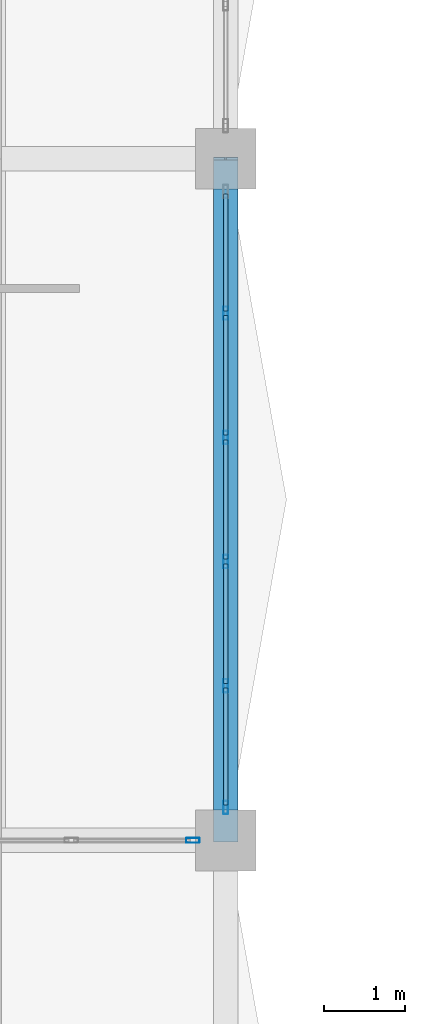
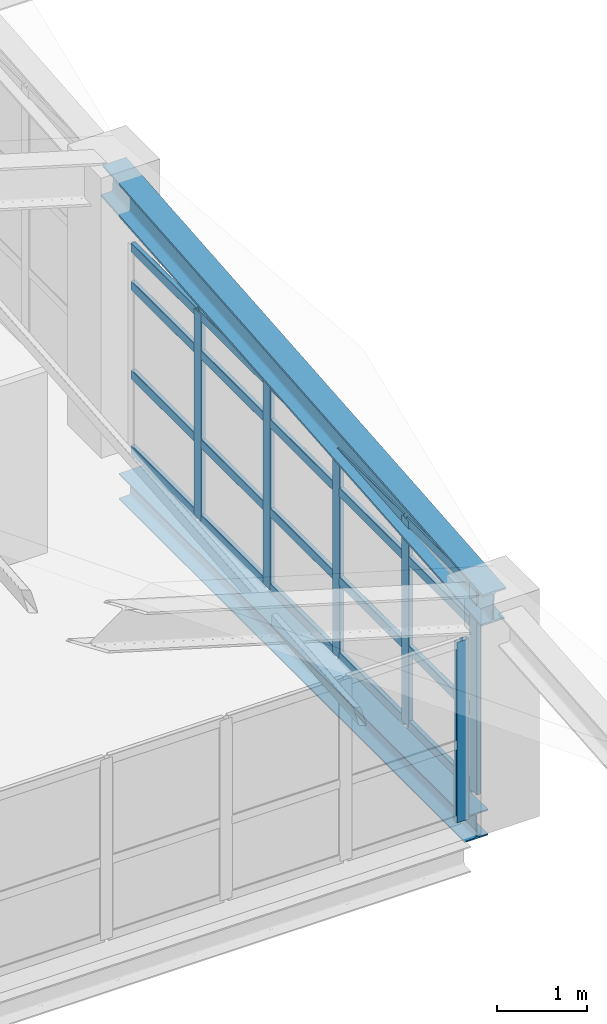
# One storey, part 38 of 95: 27 members, 1 beam, 2 elements without a shape of their own.
"""IFC4 building model written with IfcOpenShell, lengths in metres."""

from ifc_helpers import new_model, si_unit, direction, frame, origin, origin_2d, place, context, subcontext, project, spatial, hollow_rectangle, i_section, extrude, material, layer, layer_set, material_profile, profile_set, type_object, element, aggregate, save


model = new_model("IFC4")

# Units and contexts
model_context = context("Model", 3, precision=1e-05, world=origin(), true_north=direction((0.0, 1.0)))
body_context = subcontext(model_context, "Body", "Model", "MODEL_VIEW")
ifc_project = project(units=[si_unit("LENGTHUNIT", "METRE"), si_unit("AREAUNIT", "SQUARE_METRE"), si_unit("VOLUMEUNIT", "CUBIC_METRE"), si_unit("PLANEANGLEUNIT", "RADIAN"), si_unit("MASSUNIT", "GRAM", prefix="KILO"), si_unit("THERMODYNAMICTEMPERATUREUNIT", "KELVIN"), si_unit("POWERUNIT", "WATT")], contexts=[model_context])

# Site, building, storey
site_placement = place(None, origin())
site = spatial("IfcSite", under=ifc_project, at=site_placement, CompositionType="ELEMENT")
building_placement = place(site_placement, origin())
building = spatial("IfcBuilding", under=site, at=building_placement, Name="Mavoryth Pier Ferry Terminal", CompositionType="ELEMENT")
storey_placement = place(building_placement, frame((0.0, 0.0, 9.60009765625)))
storey = spatial("IfcBuildingStorey", under=building, at=storey_placement, Name="L02", CompositionType="ELEMENT", Elevation=9.60009765625)

# Member
ifc_material_1 = material(Name="Steel S355J2", Category="steel")
ifc_material_profile_1 = material_profile(ifc_material_1, i_section(OverallWidth=0.300048828125, OverallDepth=0.449951171875, WebThickness=0.013916015625, FlangeThickness=0.02587890625, FilletRadius=0.027099609375, at=origin_2d()), Name="HEB 450", Category="steel")
ifc_profile_set_1 = profile_set([ifc_material_profile_1], Name="Steel S355J2 - HEB 450")
member_type_1 = type_object("IfcMemberType", Name="Chord-Eave-HEB450", PredefinedType="CHORD", material=ifc_profile_set_1)
member_1_placement = place(storey_placement, frame((33.60009765625, 72.39990234375, 2.729248046875), z_axis=(0.0, 0.996403523637, 0.084734987362), x_axis=(-1.0, 0.0, 0.0)))
element("IfcMember", 1, at=member_1_placement, inside=storey, type_object=member_type_1, Name="Steel Member MB-L02-0117", PredefinedType="CHORD", context=body_context, shape_type="SweptSolid", body=[
    extrude(i_section(OverallWidth=0.300048828125, OverallDepth=0.449951171875, WebThickness=0.013916015625, FlangeThickness=0.02587890625, FilletRadius=0.027099609375, at=origin_2d()), origin(), (0.0, 0.0, 1.0), 8.430419921875),
])

# Curtain wall, members
ifc_material_2 = material(Name="Anodised Aluminium and Solar-Control Low-E Glass", Category="aluminium")
ifc_layer = layer(ifc_material_2, 0.179931640625, Name="Anodised Aluminium and Solar-Control Low-E Glass", Category="aluminium")
ifc_layer_set = layer_set([ifc_layer], Name="Anodised Aluminium and Solar-Control Low-E Glass - CW-Concourse-Mod1400")
curtain_wall_type = type_object("IfcCurtainWallType", Name="CW-Concourse-Mod1400", PredefinedType="USERDEFINED", material=ifc_layer_set)
curtain_wall_1_placement = place(storey_placement, origin())
curtain_wall_1 = element("IfcCurtainWall", 2, at=curtain_wall_1_placement, inside=storey, type_object=curtain_wall_type, Name="Curtain Wall CW-0222-022", ObjectType="UNITISED CURTAIN WALL", PredefinedType="USERDEFINED")
ifc_material_3 = material(Name="Anodised Aluminium EN AW-6063", Category="aluminium")
ifc_material_profile_2 = material_profile(ifc_material_3, hollow_rectangle(XDim=0.06005859375, YDim=0.1650390625, WallThickness=0.00390625, InnerFilletRadius=0.00390625, OuterFilletRadius=0.008056640625, at=origin_2d()), Name="AL-MULL 165x60x4", Category="aluminium")
ifc_profile_set_2 = profile_set([ifc_material_profile_2], Name="Anodised Aluminium EN AW-6063 - AL-MULL 165x60x4")
member_type_2 = type_object("IfcMemberType", Name="Mullion-Alum-165x60", PredefinedType="MULLION", material=ifc_profile_set_2)
member_2_placement = place(storey_placement, frame((33.60009765625, 72.804931640625, 0.0), z_axis=(0.0, 0.0, 1.0), x_axis=(-1.0, 0.0, 0.0)))
member_2 = element("IfcMember", 3, at=member_2_placement, type_object=member_type_2, Name="CW01 mullion 1", PredefinedType="MULLION", context=body_context, shape_type="SweptSolid", body=[
    extrude(hollow_rectangle(XDim=0.06005859375, YDim=0.1650390625, WallThickness=0.00390625, InnerFilletRadius=0.00390625, OuterFilletRadius=0.008056640625, at=origin_2d()), origin(), (0.0, 0.0, 1.0), 2.79296875),
])
member_3_placement = place(storey_placement, frame((33.60009765625, 74.304931640625, 0.0), z_axis=(0.0, 0.0, 1.0), x_axis=(-1.0, 0.0, 0.0)))
member_3 = element("IfcMember", 4, at=member_3_placement, type_object=member_type_2, Name="CW01 mullion 2", PredefinedType="MULLION", context=body_context, shape_type="SweptSolid", body=[
    extrude(hollow_rectangle(XDim=0.06005859375, YDim=0.1650390625, WallThickness=0.00390625, InnerFilletRadius=0.00390625, OuterFilletRadius=0.008056640625, at=origin_2d()), origin(), (0.0, 0.0, 1.0), 2.79296875),
])
member_4_placement = place(storey_placement, frame((33.60009765625, 75.8349609375, 0.0), z_axis=(0.0, 0.0, 1.0), x_axis=(-1.0, 0.0, 0.0)))
member_4 = element("IfcMember", 5, at=member_4_placement, type_object=member_type_2, Name="CW01 mullion 3", PredefinedType="MULLION", context=body_context, shape_type="SweptSolid", body=[
    extrude(hollow_rectangle(XDim=0.06005859375, YDim=0.1650390625, WallThickness=0.00390625, InnerFilletRadius=0.00390625, OuterFilletRadius=0.008056640625, at=origin_2d()), origin(), (0.0, 0.0, 1.0), 2.79296875),
])
member_5_placement = place(storey_placement, frame((33.60009765625, 77.364990234375, 0.0), z_axis=(0.0, 0.0, 1.0), x_axis=(-1.0, 0.0, 0.0)))
member_5 = element("IfcMember", 6, at=member_5_placement, type_object=member_type_2, Name="CW01 mullion 4", PredefinedType="MULLION", context=body_context, shape_type="SweptSolid", body=[
    extrude(hollow_rectangle(XDim=0.06005859375, YDim=0.1650390625, WallThickness=0.00390625, InnerFilletRadius=0.00390625, OuterFilletRadius=0.008056640625, at=origin_2d()), origin(), (0.0, 0.0, 1.0), 2.79296875),
])
member_6_placement = place(storey_placement, frame((33.60009765625, 78.89501953125, 0.0), z_axis=(0.0, 0.0, 1.0), x_axis=(-1.0, 0.0, 0.0)))
member_6 = element("IfcMember", 7, at=member_6_placement, type_object=member_type_2, Name="CW01 mullion 5", PredefinedType="MULLION", context=body_context, shape_type="SweptSolid", body=[
    extrude(hollow_rectangle(XDim=0.06005859375, YDim=0.1650390625, WallThickness=0.00390625, InnerFilletRadius=0.00390625, OuterFilletRadius=0.008056640625, at=origin_2d()), origin(), (0.0, 0.0, 1.0), 2.79296875),
])

# Curtain wall, member
curtain_wall_2_placement = place(storey_placement, origin())
curtain_wall_2 = element("IfcCurtainWall", 8, at=curtain_wall_2_placement, inside=storey, type_object=curtain_wall_type, Name="Curtain Wall CW-0222-049", ObjectType="UNITISED CURTAIN WALL", PredefinedType="USERDEFINED")
member_7_placement = place(storey_placement, frame((33.195068359375, 72.39990234375, 0.0), z_axis=(0.0, 0.0, 1.0), x_axis=(0.0, 1.0, 0.0)))
member_7 = element("IfcMember", 9, at=member_7_placement, type_object=member_type_2, Name="CW01 mullion 6", PredefinedType="MULLION", context=body_context, shape_type="SweptSolid", body=[
    extrude(hollow_rectangle(XDim=0.06005859375, YDim=0.1650390625, WallThickness=0.00390625, InnerFilletRadius=0.00390625, OuterFilletRadius=0.008056640625, at=origin_2d()), origin(), (0.0, 0.0, 1.0), 2.435791015625),
])
aggregate(curtain_wall_2, [member_7])

# Beam
ifc_material_profile_3 = material_profile(ifc_material_1, i_section(OverallWidth=0.300048828125, OverallDepth=0.35009765625, WebThickness=0.010009765625, FlangeThickness=0.017578125, FilletRadius=0.027099609375, at=origin_2d()), Name="HEA 360", Category="steel")
ifc_profile_set_3 = profile_set([ifc_material_profile_3], Name="Steel S355J2 - HEA 360")
beam_type = type_object("IfcBeamType", Name="Spandrel-Steel-HEA360", PredefinedType="SPANDREL", material=ifc_profile_set_3)
beam_placement = place(storey_placement, frame((33.60009765625, 72.77490234375, -0.455078125), z_axis=(0.0, 1.0, 0.0), x_axis=(-1.0, 0.0, 0.0)))
element("IfcBeam", 10, at=beam_placement, inside=storey, type_object=beam_type, Name="Beam B02-SP03-0648", PredefinedType="SPANDREL", context=body_context, shape_type="SweptSolid", body=[
    extrude(i_section(OverallWidth=0.300048828125, OverallDepth=0.35009765625, WebThickness=0.010009765625, FlangeThickness=0.017578125, FilletRadius=0.027099609375, at=origin_2d()), origin(), (0.0, 0.0, 1.0), 7.650146484375),
])

# Member
ifc_material_profile_4 = material_profile(ifc_material_3, hollow_rectangle(XDim=0.06005859375, YDim=0.125, WallThickness=0.00390625, InnerFilletRadius=0.00390625, OuterFilletRadius=0.008056640625, at=origin_2d()), Name="AL-TRAN 125x60x4", Category="aluminium")
ifc_profile_set_4 = profile_set([ifc_material_profile_4], Name="Anodised Aluminium EN AW-6063 - AL-TRAN 125x60x4")
member_type_3 = type_object("IfcMemberType", Name="Transom-Alum-125x60", PredefinedType="USERDEFINED", material=ifc_profile_set_4)
member_8_placement = place(storey_placement, frame((33.60009765625, 72.8349609375, 0.02978515625), z_axis=(0.0, 1.0, 0.0), x_axis=(-1.0, 0.0, 0.0)))
member_8 = element("IfcMember", 11, at=member_8_placement, type_object=member_type_3, Name="CW01 transom 1.1", ObjectType="TRANSOM", PredefinedType="USERDEFINED", context=body_context, shape_type="SweptSolid", body=[
    extrude(hollow_rectangle(XDim=0.06005859375, YDim=0.125, WallThickness=0.00390625, InnerFilletRadius=0.00390625, OuterFilletRadius=0.008056640625, at=origin_2d()), origin(), (0.0, 0.0, 1.0), 1.43994140625),
])

member_9_placement = place(storey_placement, frame((33.60009765625, 72.8349609375, 1.0498046875), z_axis=(0.0, 1.0, 0.0), x_axis=(-1.0, 0.0, 0.0)))
member_9 = element("IfcMember", 12, at=member_9_placement, type_object=member_type_3, Name="CW01 transom 1.2", ObjectType="TRANSOM", PredefinedType="USERDEFINED", context=body_context, shape_type="SweptSolid", body=[
    extrude(hollow_rectangle(XDim=0.06005859375, YDim=0.125, WallThickness=0.00390625, InnerFilletRadius=0.00390625, OuterFilletRadius=0.008056640625, at=origin_2d()), origin(), (0.0, 0.0, 1.0), 1.43994140625),
])

member_10_placement = place(storey_placement, frame((33.60009765625, 72.8349609375, 2.25), z_axis=(0.0, 1.0, 0.0), x_axis=(-1.0, 0.0, 0.0)))
member_10 = element("IfcMember", 13, at=member_10_placement, type_object=member_type_3, Name="CW01 transom 1.3", ObjectType="TRANSOM", PredefinedType="USERDEFINED", context=body_context, shape_type="SweptSolid", body=[
    extrude(hollow_rectangle(XDim=0.06005859375, YDim=0.125, WallThickness=0.00390625, InnerFilletRadius=0.00390625, OuterFilletRadius=0.008056640625, at=origin_2d()), origin(), (0.0, 0.0, 1.0), 1.43994140625),
])

member_11_placement = place(storey_placement, frame((33.60009765625, 72.8349609375, 2.762939453125), z_axis=(0.0, 1.0, 0.0), x_axis=(-1.0, 0.0, 0.0)))
member_11 = element("IfcMember", 14, at=member_11_placement, type_object=member_type_3, Name="CW01 transom 1.4", ObjectType="TRANSOM", PredefinedType="USERDEFINED", context=body_context, shape_type="SweptSolid", body=[
    extrude(hollow_rectangle(XDim=0.06005859375, YDim=0.125, WallThickness=0.00390625, InnerFilletRadius=0.00390625, OuterFilletRadius=0.008056640625, at=origin_2d()), origin(), (0.0, 0.0, 1.0), 1.43994140625),
])

member_12_placement = place(storey_placement, frame((33.60009765625, 74.3349609375, 0.02978515625), z_axis=(0.0, 1.0, 0.0), x_axis=(-1.0, 0.0, 0.0)))
member_12 = element("IfcMember", 15, at=member_12_placement, type_object=member_type_3, Name="CW01 transom 2.1", ObjectType="TRANSOM", PredefinedType="USERDEFINED", context=body_context, shape_type="SweptSolid", body=[
    extrude(hollow_rectangle(XDim=0.06005859375, YDim=0.125, WallThickness=0.00390625, InnerFilletRadius=0.00390625, OuterFilletRadius=0.008056640625, at=origin_2d()), origin(), (0.0, 0.0, 1.0), 1.469970703125),
])

member_13_placement = place(storey_placement, frame((33.60009765625, 74.3349609375, 1.0498046875), z_axis=(0.0, 1.0, 0.0), x_axis=(-1.0, 0.0, 0.0)))
member_13 = element("IfcMember", 16, at=member_13_placement, type_object=member_type_3, Name="CW01 transom 2.2", ObjectType="TRANSOM", PredefinedType="USERDEFINED", context=body_context, shape_type="SweptSolid", body=[
    extrude(hollow_rectangle(XDim=0.06005859375, YDim=0.125, WallThickness=0.00390625, InnerFilletRadius=0.00390625, OuterFilletRadius=0.008056640625, at=origin_2d()), origin(), (0.0, 0.0, 1.0), 1.469970703125),
])

member_14_placement = place(storey_placement, frame((33.60009765625, 74.3349609375, 2.25), z_axis=(0.0, 1.0, 0.0), x_axis=(-1.0, 0.0, 0.0)))
member_14 = element("IfcMember", 17, at=member_14_placement, type_object=member_type_3, Name="CW01 transom 2.3", ObjectType="TRANSOM", PredefinedType="USERDEFINED", context=body_context, shape_type="SweptSolid", body=[
    extrude(hollow_rectangle(XDim=0.06005859375, YDim=0.125, WallThickness=0.00390625, InnerFilletRadius=0.00390625, OuterFilletRadius=0.008056640625, at=origin_2d()), origin(), (0.0, 0.0, 1.0), 1.469970703125),
])

member_15_placement = place(storey_placement, frame((33.60009765625, 74.3349609375, 2.762939453125), z_axis=(0.0, 1.0, 0.0), x_axis=(-1.0, 0.0, 0.0)))
member_15 = element("IfcMember", 18, at=member_15_placement, type_object=member_type_3, Name="CW01 transom 2.4", ObjectType="TRANSOM", PredefinedType="USERDEFINED", context=body_context, shape_type="SweptSolid", body=[
    extrude(hollow_rectangle(XDim=0.06005859375, YDim=0.125, WallThickness=0.00390625, InnerFilletRadius=0.00390625, OuterFilletRadius=0.008056640625, at=origin_2d()), origin(), (0.0, 0.0, 1.0), 1.469970703125),
])

member_16_placement = place(storey_placement, frame((33.60009765625, 75.864990234375, 0.02978515625), z_axis=(0.0, 1.0, 0.0), x_axis=(-1.0, 0.0, 0.0)))
member_16 = element("IfcMember", 19, at=member_16_placement, type_object=member_type_3, Name="CW01 transom 3.1", ObjectType="TRANSOM", PredefinedType="USERDEFINED", context=body_context, shape_type="SweptSolid", body=[
    extrude(hollow_rectangle(XDim=0.06005859375, YDim=0.125, WallThickness=0.00390625, InnerFilletRadius=0.00390625, OuterFilletRadius=0.008056640625, at=origin_2d()), origin(), (0.0, 0.0, 1.0), 1.469970703125),
])

member_17_placement = place(storey_placement, frame((33.60009765625, 75.864990234375, 1.0498046875), z_axis=(0.0, 1.0, 0.0), x_axis=(-1.0, 0.0, 0.0)))
member_17 = element("IfcMember", 20, at=member_17_placement, type_object=member_type_3, Name="CW01 transom 3.2", ObjectType="TRANSOM", PredefinedType="USERDEFINED", context=body_context, shape_type="SweptSolid", body=[
    extrude(hollow_rectangle(XDim=0.06005859375, YDim=0.125, WallThickness=0.00390625, InnerFilletRadius=0.00390625, OuterFilletRadius=0.008056640625, at=origin_2d()), origin(), (0.0, 0.0, 1.0), 1.469970703125),
])

member_18_placement = place(storey_placement, frame((33.60009765625, 75.864990234375, 2.25), z_axis=(0.0, 1.0, 0.0), x_axis=(-1.0, 0.0, 0.0)))
member_18 = element("IfcMember", 21, at=member_18_placement, type_object=member_type_3, Name="CW01 transom 3.3", ObjectType="TRANSOM", PredefinedType="USERDEFINED", context=body_context, shape_type="SweptSolid", body=[
    extrude(hollow_rectangle(XDim=0.06005859375, YDim=0.125, WallThickness=0.00390625, InnerFilletRadius=0.00390625, OuterFilletRadius=0.008056640625, at=origin_2d()), origin(), (0.0, 0.0, 1.0), 1.469970703125),
])

member_19_placement = place(storey_placement, frame((33.60009765625, 75.864990234375, 2.762939453125), z_axis=(0.0, 1.0, 0.0), x_axis=(-1.0, 0.0, 0.0)))
member_19 = element("IfcMember", 22, at=member_19_placement, type_object=member_type_3, Name="CW01 transom 3.4", ObjectType="TRANSOM", PredefinedType="USERDEFINED", context=body_context, shape_type="SweptSolid", body=[
    extrude(hollow_rectangle(XDim=0.06005859375, YDim=0.125, WallThickness=0.00390625, InnerFilletRadius=0.00390625, OuterFilletRadius=0.008056640625, at=origin_2d()), origin(), (0.0, 0.0, 1.0), 1.469970703125),
])

member_20_placement = place(storey_placement, frame((33.60009765625, 77.39501953125, 0.02978515625), z_axis=(0.0, 1.0, 0.0), x_axis=(-1.0, 0.0, 0.0)))
member_20 = element("IfcMember", 23, at=member_20_placement, type_object=member_type_3, Name="CW01 transom 4.1", ObjectType="TRANSOM", PredefinedType="USERDEFINED", context=body_context, shape_type="SweptSolid", body=[
    extrude(hollow_rectangle(XDim=0.06005859375, YDim=0.125, WallThickness=0.00390625, InnerFilletRadius=0.00390625, OuterFilletRadius=0.008056640625, at=origin_2d()), origin(), (0.0, 0.0, 1.0), 1.469970703125),
])

member_21_placement = place(storey_placement, frame((33.60009765625, 77.39501953125, 1.0498046875), z_axis=(0.0, 1.0, 0.0), x_axis=(-1.0, 0.0, 0.0)))
member_21 = element("IfcMember", 24, at=member_21_placement, type_object=member_type_3, Name="CW01 transom 4.2", ObjectType="TRANSOM", PredefinedType="USERDEFINED", context=body_context, shape_type="SweptSolid", body=[
    extrude(hollow_rectangle(XDim=0.06005859375, YDim=0.125, WallThickness=0.00390625, InnerFilletRadius=0.00390625, OuterFilletRadius=0.008056640625, at=origin_2d()), origin(), (0.0, 0.0, 1.0), 1.469970703125),
])

member_22_placement = place(storey_placement, frame((33.60009765625, 77.39501953125, 2.25), z_axis=(0.0, 1.0, 0.0), x_axis=(-1.0, 0.0, 0.0)))
member_22 = element("IfcMember", 25, at=member_22_placement, type_object=member_type_3, Name="CW01 transom 4.3", ObjectType="TRANSOM", PredefinedType="USERDEFINED", context=body_context, shape_type="SweptSolid", body=[
    extrude(hollow_rectangle(XDim=0.06005859375, YDim=0.125, WallThickness=0.00390625, InnerFilletRadius=0.00390625, OuterFilletRadius=0.008056640625, at=origin_2d()), origin(), (0.0, 0.0, 1.0), 1.469970703125),
])

member_23_placement = place(storey_placement, frame((33.60009765625, 77.39501953125, 2.762939453125), z_axis=(0.0, 1.0, 0.0), x_axis=(-1.0, 0.0, 0.0)))
member_23 = element("IfcMember", 26, at=member_23_placement, type_object=member_type_3, Name="CW01 transom 4.4", ObjectType="TRANSOM", PredefinedType="USERDEFINED", context=body_context, shape_type="SweptSolid", body=[
    extrude(hollow_rectangle(XDim=0.06005859375, YDim=0.125, WallThickness=0.00390625, InnerFilletRadius=0.00390625, OuterFilletRadius=0.008056640625, at=origin_2d()), origin(), (0.0, 0.0, 1.0), 1.469970703125),
])

member_24_placement = place(storey_placement, frame((33.60009765625, 78.925048828125, 0.02978515625), z_axis=(0.0, 1.0, 0.0), x_axis=(-1.0, 0.0, 0.0)))
member_24 = element("IfcMember", 27, at=member_24_placement, type_object=member_type_3, Name="CW01 transom 5.1", ObjectType="TRANSOM", PredefinedType="USERDEFINED", context=body_context, shape_type="SweptSolid", body=[
    extrude(hollow_rectangle(XDim=0.06005859375, YDim=0.125, WallThickness=0.00390625, InnerFilletRadius=0.00390625, OuterFilletRadius=0.008056640625, at=origin_2d()), origin(), (0.0, 0.0, 1.0), 1.43994140625),
])

member_25_placement = place(storey_placement, frame((33.60009765625, 78.925048828125, 1.0498046875), z_axis=(0.0, 1.0, 0.0), x_axis=(-1.0, 0.0, 0.0)))
member_25 = element("IfcMember", 28, at=member_25_placement, type_object=member_type_3, Name="CW01 transom 5.2", ObjectType="TRANSOM", PredefinedType="USERDEFINED", context=body_context, shape_type="SweptSolid", body=[
    extrude(hollow_rectangle(XDim=0.06005859375, YDim=0.125, WallThickness=0.00390625, InnerFilletRadius=0.00390625, OuterFilletRadius=0.008056640625, at=origin_2d()), origin(), (0.0, 0.0, 1.0), 1.43994140625),
])

member_26_placement = place(storey_placement, frame((33.60009765625, 78.925048828125, 2.25), z_axis=(0.0, 1.0, 0.0), x_axis=(-1.0, 0.0, 0.0)))
member_26 = element("IfcMember", 29, at=member_26_placement, type_object=member_type_3, Name="CW01 transom 5.3", ObjectType="TRANSOM", PredefinedType="USERDEFINED", context=body_context, shape_type="SweptSolid", body=[
    extrude(hollow_rectangle(XDim=0.06005859375, YDim=0.125, WallThickness=0.00390625, InnerFilletRadius=0.00390625, OuterFilletRadius=0.008056640625, at=origin_2d()), origin(), (0.0, 0.0, 1.0), 1.43994140625),
])

member_27_placement = place(storey_placement, frame((33.60009765625, 78.925048828125, 2.762939453125), z_axis=(0.0, 1.0, 0.0), x_axis=(-1.0, 0.0, 0.0)))
member_27 = element("IfcMember", 30, at=member_27_placement, type_object=member_type_3, Name="CW01 transom 5.4", ObjectType="TRANSOM", PredefinedType="USERDEFINED", context=body_context, shape_type="SweptSolid", body=[
    extrude(hollow_rectangle(XDim=0.06005859375, YDim=0.125, WallThickness=0.00390625, InnerFilletRadius=0.00390625, OuterFilletRadius=0.008056640625, at=origin_2d()), origin(), (0.0, 0.0, 1.0), 1.43994140625),
])

aggregate(curtain_wall_1, [member_2, member_3, member_4, member_5, member_6, member_8, member_9, member_10, member_11, member_12, member_13, member_14, member_15, member_16, member_17, member_18, member_19, member_20, member_21, member_22, member_23, member_24, member_25, member_26, member_27])

save(model, "model.ifc")
